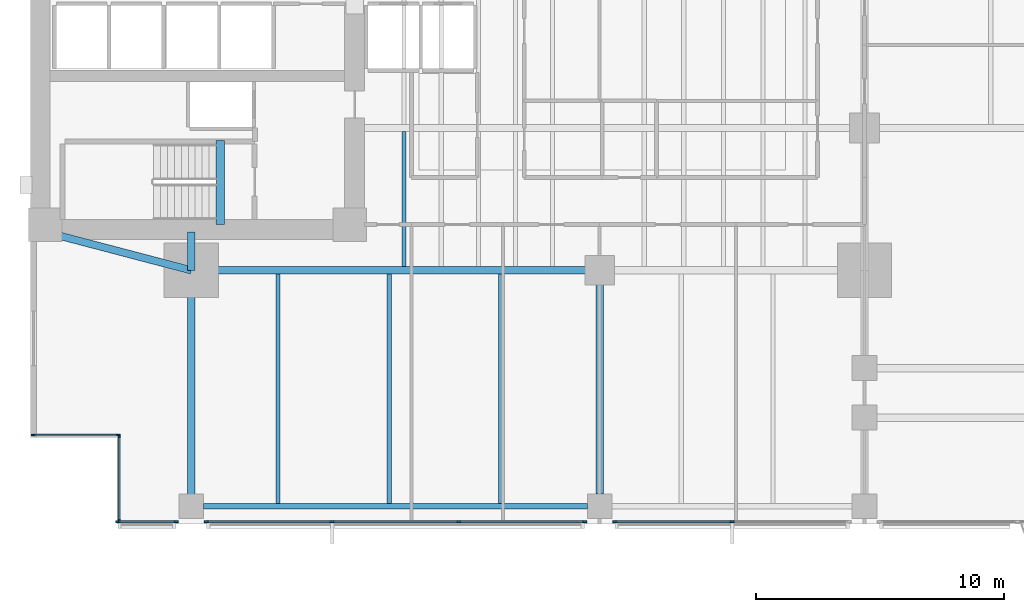
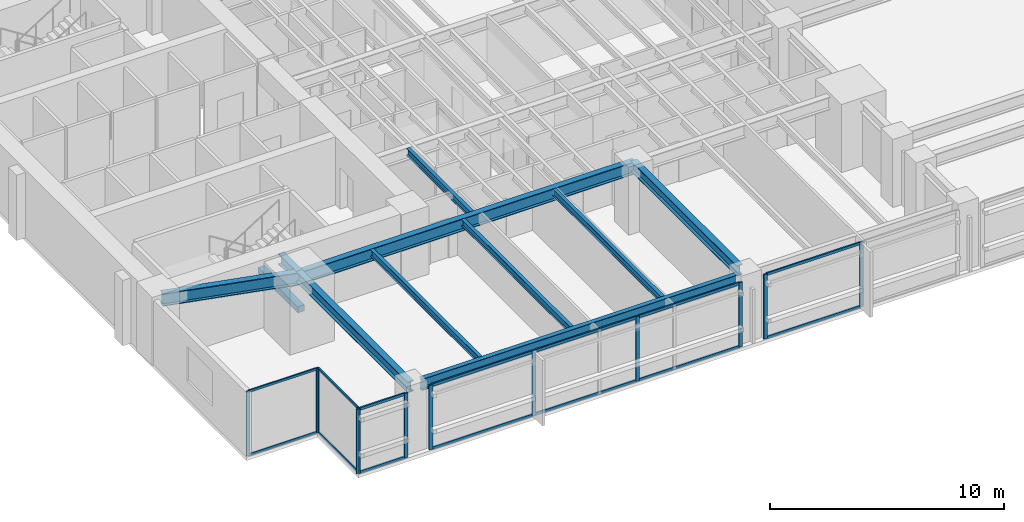
# One storey, part 2 of 15: 26 members, 11 beams, 5 elements without a shape of their own.
"""IFC4 building model written with IfcOpenShell, lengths in metres."""

from ifc_helpers import new_model, si_unit, direction, frame, origin, origin_2d, place, context, subcontext, project, spatial, rectangle, i_section, extrude, material, layer, layer_set, material_profile, profile_set, type_object, element, aggregate, save


model = new_model("IFC4")

# Units and contexts
model_context = context("Model", 3, precision=1e-05, world=origin(), true_north=direction((0.0, 1.0)))
body_context = subcontext(model_context, "Body", "Model", "MODEL_VIEW")
ifc_project = project(units=[si_unit("LENGTHUNIT", "METRE"), si_unit("AREAUNIT", "SQUARE_METRE"), si_unit("VOLUMEUNIT", "CUBIC_METRE"), si_unit("PLANEANGLEUNIT", "RADIAN"), si_unit("MASSUNIT", "GRAM", prefix="KILO")], contexts=[model_context])

# Site, building, storey
site_placement = place(None, origin())
site = spatial("IfcSite", under=ifc_project, at=site_placement, CompositionType="ELEMENT")
building_placement = place(site_placement, origin())
building = spatial("IfcBuilding", under=site, at=building_placement, Name="Kinhvarn Gate Tower", CompositionType="ELEMENT")
storey_placement = place(building_placement, frame((0.0, 0.0, 61.10009765625)))
storey = spatial("IfcBuildingStorey", under=building, at=storey_placement, Name="L15", CompositionType="ELEMENT", Elevation=61.10009765625)

# Beam
ifc_material_1 = material(Name="Concrete C50/60", Category="concrete")
ifc_material_profile_1 = material_profile(ifc_material_1, rectangle(XDim=0.340087890625, YDim=0.320068359375, at=origin_2d()), Name="RC 340x320")
ifc_profile_set_1 = profile_set([ifc_material_profile_1], Name="Concrete C50/60")
beam_type_1 = type_object("IfcBeamType", Name="BM-LND-500", PredefinedType="BEAM", material=ifc_profile_set_1)
beam_1_placement = place(storey_placement, frame((12.1650390625, 14.60009765625, -0.16015625), z_axis=(0.0, 1.0, 0.0), x_axis=(-1.0, 0.0, 0.0)))
element("IfcBeam", 1, at=beam_1_placement, inside=storey, type_object=beam_type_1, Name="Stair ST1 Landing Nosing Beam (L15)", PredefinedType="BEAM", context=body_context, shape_type="SweptSolid", body=[
    extrude(rectangle(XDim=0.340087890625, YDim=0.320068359375, at=origin_2d()), origin(), (0.0, 0.0, 1.0), 3.39990234375),
])

# Curtain wall, members
ifc_material_2 = material(Name="Anodised aluminium AW-6063", Category="aluminium")
ifc_layer_1 = layer(ifc_material_2, 0.179931640625)
ifc_layer_set_1 = layer_set([ifc_layer_1], Name="Anodised aluminium AW-6063")
curtain_wall_type_1 = type_object("IfcCurtainWallType", Name="CW-SYS-4", PredefinedType="NOTDEFINED", material=ifc_layer_set_1)
curtain_wall_1_placement = place(storey_placement, origin())
curtain_wall_1 = element("IfcCurtainWall", 2, at=curtain_wall_1_placement, inside=storey, type_object=curtain_wall_type_1, Name="Curtain Wall CW4 (L15)", PredefinedType="NOTDEFINED")
ifc_material_profile_2 = material_profile(ifc_material_2, rectangle(XDim=0.06494140625, YDim=0.159912109375, at=origin_2d()), Name="ALU 65x160")
ifc_profile_set_2 = profile_set([ifc_material_profile_2], Name="Anodised aluminium AW-6063")
member_type_1 = type_object("IfcMemberType", Name="CW-MUL-160", PredefinedType="MULLION", material=ifc_profile_set_2)
member_1_placement = place(storey_placement, frame((4.62255859375, 6.090087890625, 0.0), z_axis=(0.0, 0.0, 1.0), x_axis=(0.0, 1.0, 0.0)))
member_1 = element("IfcMember", 3, at=member_1_placement, type_object=member_type_1, Name="CW4 mullion 1", PredefinedType="MULLION", context=body_context, shape_type="SweptSolid", body=[
    extrude(rectangle(XDim=0.06494140625, YDim=0.159912109375, at=origin_2d()), origin(), (0.0, 0.0, 1.0), 3.369873046875),
])
member_2_placement = place(storey_placement, frame((8.0576171875, 6.090087890625, 0.0), z_axis=(0.0, 0.0, 1.0), x_axis=(0.0, 1.0, 0.0)))
member_2 = element("IfcMember", 4, at=member_2_placement, type_object=member_type_1, Name="CW4 mullion 2", PredefinedType="MULLION", context=body_context, shape_type="SweptSolid", body=[
    extrude(rectangle(XDim=0.06494140625, YDim=0.159912109375, at=origin_2d()), origin(), (0.0, 0.0, 1.0), 3.369873046875),
])

curtain_wall_2_placement = place(storey_placement, origin())
curtain_wall_2 = element("IfcCurtainWall", 5, at=curtain_wall_2_placement, inside=storey, type_object=curtain_wall_type_1, Name="Curtain Wall CW4 (L15)", PredefinedType="NOTDEFINED")
member_3_placement = place(storey_placement, frame((8.090087890625, 6.0576171875, 0.0), z_axis=(0.0, 0.0, 1.0), x_axis=(1.0, 0.0, 0.0)))
member_3 = element("IfcMember", 6, at=member_3_placement, type_object=member_type_1, Name="CW4 mullion 1", PredefinedType="MULLION", context=body_context, shape_type="SweptSolid", body=[
    extrude(rectangle(XDim=0.06494140625, YDim=0.159912109375, at=origin_2d()), origin(), (0.0, 0.0, 1.0), 3.369873046875),
])
member_4_placement = place(storey_placement, frame((8.090087890625, 2.62255859375, 0.0), z_axis=(0.0, 0.0, 1.0), x_axis=(1.0, 0.0, 0.0)))
member_4 = element("IfcMember", 7, at=member_4_placement, type_object=member_type_1, Name="CW4 mullion 2", PredefinedType="MULLION", context=body_context, shape_type="SweptSolid", body=[
    extrude(rectangle(XDim=0.06494140625, YDim=0.159912109375, at=origin_2d()), origin(), (0.0, 0.0, 1.0), 3.369873046875),
])

ifc_layer_2 = layer(ifc_material_2, 0.179931640625)
ifc_layer_set_2 = layer_set([ifc_layer_2], Name="Anodised aluminium AW-6063")
curtain_wall_type_2 = type_object("IfcCurtainWallType", Name="CW-SYS-2", PredefinedType="NOTDEFINED", material=ifc_layer_set_2)
curtain_wall_3_placement = place(storey_placement, origin())
curtain_wall_3 = element("IfcCurtainWall", 8, at=curtain_wall_3_placement, inside=storey, type_object=curtain_wall_type_2, Name="Curtain Wall CW2 (L15)", PredefinedType="NOTDEFINED")
ifc_material_profile_3 = material_profile(ifc_material_2, rectangle(XDim=0.070068359375, YDim=0.179931640625, at=origin_2d()), Name="ALU 70x180")
ifc_profile_set_3 = profile_set([ifc_material_profile_3], Name="Anodised aluminium AW-6063")
member_type_2 = type_object("IfcMemberType", Name="CW-MUL-180", PredefinedType="MULLION", material=ifc_profile_set_3)
member_5_placement = place(storey_placement, frame((8.034912109375, 2.590087890625, 0.0), z_axis=(0.0, 0.0, 1.0), x_axis=(0.0, 1.0, 0.0)))
member_5 = element("IfcMember", 9, at=member_5_placement, type_object=member_type_2, Name="CW2 mullion 1", PredefinedType="MULLION", context=body_context, shape_type="SweptSolid", body=[
    extrude(rectangle(XDim=0.070068359375, YDim=0.179931640625, at=origin_2d()), origin(), (0.0, 0.0, 1.0), 3.369873046875),
])
member_6_placement = place(storey_placement, frame((10.385009765625, 2.590087890625, 0.0), z_axis=(0.0, 0.0, 1.0), x_axis=(0.0, 1.0, 0.0)))
member_6 = element("IfcMember", 10, at=member_6_placement, type_object=member_type_2, Name="CW2 mullion 2", PredefinedType="MULLION", context=body_context, shape_type="SweptSolid", body=[
    extrude(rectangle(XDim=0.070068359375, YDim=0.179931640625, at=origin_2d()), origin(), (0.0, 0.0, 1.0), 3.369873046875),
])

curtain_wall_4_placement = place(storey_placement, origin())
curtain_wall_4 = element("IfcCurtainWall", 11, at=curtain_wall_4_placement, inside=storey, type_object=curtain_wall_type_2, Name="Curtain Wall CW2 (L15)", PredefinedType="NOTDEFINED")
member_7_placement = place(storey_placement, frame((11.614990234375, 2.590087890625, 0.0), z_axis=(0.0, 0.0, 1.0), x_axis=(0.0, 1.0, 0.0)))
member_7 = element("IfcMember", 12, at=member_7_placement, type_object=member_type_2, Name="CW2 mullion 1", PredefinedType="MULLION", context=body_context, shape_type="SweptSolid", body=[
    extrude(rectangle(XDim=0.070068359375, YDim=0.179931640625, at=origin_2d()), origin(), (0.0, 0.0, 1.0), 3.369873046875),
])
member_8_placement = place(storey_placement, frame((16.693359375, 2.590087890625, 0.0), z_axis=(0.0, 0.0, 1.0), x_axis=(0.0, 1.0, 0.0)))
member_8 = element("IfcMember", 13, at=member_8_placement, type_object=member_type_2, Name="CW2 mullion 2", PredefinedType="MULLION", context=body_context, shape_type="SweptSolid", body=[
    extrude(rectangle(XDim=0.070068359375, YDim=0.179931640625, at=origin_2d()), origin(), (0.0, 0.0, 1.0), 3.369873046875),
])
member_9_placement = place(storey_placement, frame((21.806640625, 2.590087890625, 0.0), z_axis=(0.0, 0.0, 1.0), x_axis=(0.0, 1.0, 0.0)))
member_9 = element("IfcMember", 14, at=member_9_placement, type_object=member_type_2, Name="CW2 mullion 3", PredefinedType="MULLION", context=body_context, shape_type="SweptSolid", body=[
    extrude(rectangle(XDim=0.070068359375, YDim=0.179931640625, at=origin_2d()), origin(), (0.0, 0.0, 1.0), 3.369873046875),
])
member_10_placement = place(storey_placement, frame((26.885009765625, 2.590087890625, 0.0), z_axis=(0.0, 0.0, 1.0), x_axis=(0.0, 1.0, 0.0)))
member_10 = element("IfcMember", 15, at=member_10_placement, type_object=member_type_2, Name="CW2 mullion 4", PredefinedType="MULLION", context=body_context, shape_type="SweptSolid", body=[
    extrude(rectangle(XDim=0.070068359375, YDim=0.179931640625, at=origin_2d()), origin(), (0.0, 0.0, 1.0), 3.369873046875),
])

curtain_wall_5_placement = place(storey_placement, origin())
curtain_wall_5 = element("IfcCurtainWall", 16, at=curtain_wall_5_placement, inside=storey, type_object=curtain_wall_type_2, Name="Curtain Wall CW2 (L15)", PredefinedType="NOTDEFINED")
member_11_placement = place(storey_placement, frame((28.114990234375, 2.590087890625, 0.0), z_axis=(0.0, 0.0, 1.0), x_axis=(0.0, 1.0, 0.0)))
member_11 = element("IfcMember", 17, at=member_11_placement, type_object=member_type_2, Name="CW2 mullion 1", PredefinedType="MULLION", context=body_context, shape_type="SweptSolid", body=[
    extrude(rectangle(XDim=0.070068359375, YDim=0.179931640625, at=origin_2d()), origin(), (0.0, 0.0, 1.0), 3.369873046875),
])
member_12_placement = place(storey_placement, frame((32.85009765625, 2.590087890625, 0.0), z_axis=(0.0, 0.0, 1.0), x_axis=(0.0, 1.0, 0.0)))
member_12 = element("IfcMember", 18, at=member_12_placement, type_object=member_type_2, Name="CW2 mullion 2", PredefinedType="MULLION", context=body_context, shape_type="SweptSolid", body=[
    extrude(rectangle(XDim=0.070068359375, YDim=0.179931640625, at=origin_2d()), origin(), (0.0, 0.0, 1.0), 3.369873046875),
])

# Member
ifc_material_profile_4 = material_profile(ifc_material_2, rectangle(XDim=0.06494140625, YDim=0.1201171875, at=origin_2d()), Name="ALU 65x120")
ifc_profile_set_4 = profile_set([ifc_material_profile_4], Name="Anodised aluminium AW-6063")
member_type_3 = type_object("IfcMemberType", Name="CW-TRN-120", PredefinedType="USERDEFINED", material=ifc_profile_set_4)
member_13_placement = place(storey_placement, frame((4.655029296875, 6.090087890625, 0.032470703125), z_axis=(1.0, 0.0, 0.0), x_axis=(0.0, 1.0, 0.0)))
member_13 = element("IfcMember", 19, at=member_13_placement, type_object=member_type_3, Name="CW4 transom 1.1", ObjectType="TRANSOM", PredefinedType="USERDEFINED", context=body_context, shape_type="SweptSolid", body=[
    extrude(rectangle(XDim=0.06494140625, YDim=0.1201171875, at=origin_2d()), origin(), (0.0, 0.0, 1.0), 3.369873046875),
])

member_14_placement = place(storey_placement, frame((4.655029296875, 6.090087890625, 3.33740234375), z_axis=(1.0, 0.0, 0.0), x_axis=(0.0, 1.0, 0.0)))
member_14 = element("IfcMember", 20, at=member_14_placement, type_object=member_type_3, Name="CW4 transom 1.2", ObjectType="TRANSOM", PredefinedType="USERDEFINED", context=body_context, shape_type="SweptSolid", body=[
    extrude(rectangle(XDim=0.06494140625, YDim=0.1201171875, at=origin_2d()), origin(), (0.0, 0.0, 1.0), 3.369873046875),
])

aggregate(curtain_wall_1, [member_1, member_2, member_13, member_14])

member_15_placement = place(storey_placement, frame((8.090087890625, 6.02490234375, 0.032470703125), z_axis=(0.0, -1.0, 0.0), x_axis=(1.0, 0.0, 0.0)))
member_15 = element("IfcMember", 21, at=member_15_placement, type_object=member_type_3, Name="CW4 transom 1.1", ObjectType="TRANSOM", PredefinedType="USERDEFINED", context=body_context, shape_type="SweptSolid", body=[
    extrude(rectangle(XDim=0.06494140625, YDim=0.1201171875, at=origin_2d()), origin(), (0.0, 0.0, 1.0), 3.369873046875),
])

member_16_placement = place(storey_placement, frame((8.090087890625, 6.02490234375, 3.33740234375), z_axis=(0.0, -1.0, 0.0), x_axis=(1.0, 0.0, 0.0)))
member_16 = element("IfcMember", 22, at=member_16_placement, type_object=member_type_3, Name="CW4 transom 1.2", ObjectType="TRANSOM", PredefinedType="USERDEFINED", context=body_context, shape_type="SweptSolid", body=[
    extrude(rectangle(XDim=0.06494140625, YDim=0.1201171875, at=origin_2d()), origin(), (0.0, 0.0, 1.0), 3.369873046875),
])

aggregate(curtain_wall_2, [member_3, member_4, member_15, member_16])

ifc_material_profile_5 = material_profile(ifc_material_2, rectangle(XDim=0.070068359375, YDim=0.139892578125, at=origin_2d()), Name="ALU 70x140")
ifc_profile_set_5 = profile_set([ifc_material_profile_5], Name="Anodised aluminium AW-6063")
member_type_4 = type_object("IfcMemberType", Name="CW-TRN-140", PredefinedType="USERDEFINED", material=ifc_profile_set_5)
member_17_placement = place(storey_placement, frame((8.070068359375, 2.590087890625, 0.034912109375), z_axis=(1.0, 0.0, 0.0), x_axis=(0.0, 1.0, 0.0)))
member_17 = element("IfcMember", 23, at=member_17_placement, type_object=member_type_4, Name="CW2 transom 1.1", ObjectType="TRANSOM", PredefinedType="USERDEFINED", context=body_context, shape_type="SweptSolid", body=[
    extrude(rectangle(XDim=0.070068359375, YDim=0.139892578125, at=origin_2d()), origin(), (0.0, 0.0, 1.0), 2.280029296875),
])

member_18_placement = place(storey_placement, frame((8.070068359375, 2.590087890625, 3.3349609375), z_axis=(1.0, 0.0, 0.0), x_axis=(0.0, 1.0, 0.0)))
member_18 = element("IfcMember", 24, at=member_18_placement, type_object=member_type_4, Name="CW2 transom 1.2", ObjectType="TRANSOM", PredefinedType="USERDEFINED", context=body_context, shape_type="SweptSolid", body=[
    extrude(rectangle(XDim=0.070068359375, YDim=0.139892578125, at=origin_2d()), origin(), (0.0, 0.0, 1.0), 2.280029296875),
])

aggregate(curtain_wall_3, [member_5, member_6, member_17, member_18])

member_19_placement = place(storey_placement, frame((11.64990234375, 2.590087890625, 0.034912109375), z_axis=(1.0, 0.0, 0.0), x_axis=(0.0, 1.0, 0.0)))
member_19 = element("IfcMember", 25, at=member_19_placement, type_object=member_type_4, Name="CW2 transom 1.1", ObjectType="TRANSOM", PredefinedType="USERDEFINED", context=body_context, shape_type="SweptSolid", body=[
    extrude(rectangle(XDim=0.070068359375, YDim=0.139892578125, at=origin_2d()), origin(), (0.0, 0.0, 1.0), 5.008544921875),
])

member_20_placement = place(storey_placement, frame((11.64990234375, 2.590087890625, 3.3349609375), z_axis=(1.0, 0.0, 0.0), x_axis=(0.0, 1.0, 0.0)))
member_20 = element("IfcMember", 26, at=member_20_placement, type_object=member_type_4, Name="CW2 transom 1.2", ObjectType="TRANSOM", PredefinedType="USERDEFINED", context=body_context, shape_type="SweptSolid", body=[
    extrude(rectangle(XDim=0.070068359375, YDim=0.139892578125, at=origin_2d()), origin(), (0.0, 0.0, 1.0), 5.008544921875),
])

member_21_placement = place(storey_placement, frame((16.728271484375, 2.590087890625, 0.034912109375), z_axis=(1.0, 0.0, 0.0), x_axis=(0.0, 1.0, 0.0)))
member_21 = element("IfcMember", 27, at=member_21_placement, type_object=member_type_4, Name="CW2 transom 2.1", ObjectType="TRANSOM", PredefinedType="USERDEFINED", context=body_context, shape_type="SweptSolid", body=[
    extrude(rectangle(XDim=0.070068359375, YDim=0.139892578125, at=origin_2d()), origin(), (0.0, 0.0, 1.0), 5.04345703125),
])

member_22_placement = place(storey_placement, frame((16.728271484375, 2.590087890625, 3.3349609375), z_axis=(1.0, 0.0, 0.0), x_axis=(0.0, 1.0, 0.0)))
member_22 = element("IfcMember", 28, at=member_22_placement, type_object=member_type_4, Name="CW2 transom 2.2", ObjectType="TRANSOM", PredefinedType="USERDEFINED", context=body_context, shape_type="SweptSolid", body=[
    extrude(rectangle(XDim=0.070068359375, YDim=0.139892578125, at=origin_2d()), origin(), (0.0, 0.0, 1.0), 5.04345703125),
])

member_23_placement = place(storey_placement, frame((21.841552734375, 2.590087890625, 0.034912109375), z_axis=(1.0, 0.0, 0.0), x_axis=(0.0, 1.0, 0.0)))
member_23 = element("IfcMember", 29, at=member_23_placement, type_object=member_type_4, Name="CW2 transom 3.1", ObjectType="TRANSOM", PredefinedType="USERDEFINED", context=body_context, shape_type="SweptSolid", body=[
    extrude(rectangle(XDim=0.070068359375, YDim=0.139892578125, at=origin_2d()), origin(), (0.0, 0.0, 1.0), 5.008544921875),
])

member_24_placement = place(storey_placement, frame((21.841552734375, 2.590087890625, 3.3349609375), z_axis=(1.0, 0.0, 0.0), x_axis=(0.0, 1.0, 0.0)))
member_24 = element("IfcMember", 30, at=member_24_placement, type_object=member_type_4, Name="CW2 transom 3.2", ObjectType="TRANSOM", PredefinedType="USERDEFINED", context=body_context, shape_type="SweptSolid", body=[
    extrude(rectangle(XDim=0.070068359375, YDim=0.139892578125, at=origin_2d()), origin(), (0.0, 0.0, 1.0), 5.008544921875),
])

aggregate(curtain_wall_4, [member_7, member_8, member_9, member_10, member_19, member_20, member_21, member_22, member_23, member_24])

member_25_placement = place(storey_placement, frame((28.14990234375, 2.590087890625, 0.034912109375), z_axis=(1.0, 0.0, 0.0), x_axis=(0.0, 1.0, 0.0)))
member_25 = element("IfcMember", 31, at=member_25_placement, type_object=member_type_4, Name="CW2 transom 1.1", ObjectType="TRANSOM", PredefinedType="USERDEFINED", context=body_context, shape_type="SweptSolid", body=[
    extrude(rectangle(XDim=0.070068359375, YDim=0.139892578125, at=origin_2d()), origin(), (0.0, 0.0, 1.0), 4.6650390625),
])

member_26_placement = place(storey_placement, frame((28.14990234375, 2.590087890625, 3.3349609375), z_axis=(1.0, 0.0, 0.0), x_axis=(0.0, 1.0, 0.0)))
member_26 = element("IfcMember", 32, at=member_26_placement, type_object=member_type_4, Name="CW2 transom 1.2", ObjectType="TRANSOM", PredefinedType="USERDEFINED", context=body_context, shape_type="SweptSolid", body=[
    extrude(rectangle(XDim=0.070068359375, YDim=0.139892578125, at=origin_2d()), origin(), (0.0, 0.0, 1.0), 4.6650390625),
])

aggregate(curtain_wall_5, [member_11, member_12, member_25, member_26])

# Beams
ifc_material_3 = material(Name="Steel S355", Category="steel")
ifc_material_profile_6 = material_profile(ifc_material_3, i_section(OverallWidth=0.300048828125, OverallDepth=0.550048828125, WebThickness=0.014892578125, FlangeThickness=0.029052734375, at=origin_2d()), Name="HEB 550")
ifc_profile_set_6 = profile_set([ifc_material_profile_6], Name="Steel S355")
beam_type_2 = type_object("IfcBeamType", Name="STL-HEB550", PredefinedType="BEAM", material=ifc_profile_set_6)
beam_2_placement = place(storey_placement, frame((11.0, 3.219970703125, 3.094970703125), z_axis=(0.0, 1.0, 0.0), x_axis=(-1.0, 0.0, 0.0)))
element("IfcBeam", 33, at=beam_2_placement, inside=storey, type_object=beam_type_2, Name="Floor Beam PG-15 (L15 MCW-S)", PredefinedType="BEAM", context=body_context, shape_type="SweptSolid", body=[
    extrude(i_section(OverallWidth=0.300048828125, OverallDepth=0.550048828125, WebThickness=0.014892578125, FlangeThickness=0.029052734375, at=origin_2d()), origin(), (0.0, 0.0, 1.0), 9.530029296875),
])
beam_3_placement = place(storey_placement, frame((11.0, 12.75, 3.094970703125), z_axis=(0.0, 1.0, 0.0), x_axis=(-1.0, 0.0, 0.0)))
element("IfcBeam", 34, at=beam_3_placement, inside=storey, type_object=beam_type_2, Name="Floor Beam PG-15 (L15 MCW-CS)", PredefinedType="BEAM", context=body_context, shape_type="SweptSolid", body=[
    extrude(i_section(OverallWidth=0.300048828125, OverallDepth=0.550048828125, WebThickness=0.014892578125, FlangeThickness=0.029052734375, at=origin_2d()), origin(), (0.0, 0.0, 1.0), 1.550048828125),
])
beam_4_placement = place(storey_placement, frame((27.5, 3.705078125, 3.094970703125), z_axis=(0.0, 1.0, 0.0), x_axis=(-1.0, 0.0, 0.0)))
element("IfcBeam", 35, at=beam_4_placement, inside=storey, type_object=beam_type_2, Name="Floor Beam PG-15 (L15 SP27-S-TIE)", PredefinedType="BEAM", context=body_context, shape_type="SweptSolid", body=[
    extrude(i_section(OverallWidth=0.300048828125, OverallDepth=0.550048828125, WebThickness=0.014892578125, FlangeThickness=0.029052734375, at=origin_2d()), origin(), (0.0, 0.0, 1.0), 9.044921875),
])
ifc_material_profile_7 = material_profile(ifc_material_3, i_section(OverallWidth=0.300048828125, OverallDepth=0.64990234375, WebThickness=0.01611328125, FlangeThickness=0.031005859375, at=origin_2d()), Name="HEB 650")
ifc_profile_set_7 = profile_set([ifc_material_profile_7], Name="Steel S355")
beam_type_3 = type_object("IfcBeamType", Name="STL-HEB650", PredefinedType="BEAM", material=ifc_profile_set_7)
beam_5_placement = place(storey_placement, frame((11.0, 12.75, 3.044921875), z_axis=(1.0, 0.0, 0.0), x_axis=(0.0, 1.0, 0.0)))
element("IfcBeam", 36, at=beam_5_placement, inside=storey, type_object=beam_type_3, Name="Floor Beam PG-17 (L15 MG-S1)", PredefinedType="BEAM", context=body_context, shape_type="SweptSolid", body=[
    extrude(i_section(OverallWidth=0.300048828125, OverallDepth=0.64990234375, WebThickness=0.01611328125, FlangeThickness=0.031005859375, at=origin_2d()), origin(), (0.0, 0.0, 1.0), 16.5),
])
beam_6_placement = place(storey_placement, frame((5.10009765625, 14.300048828125, 3.044921875), z_axis=(0.967177623957, -0.254101246979, 0.0), x_axis=(0.254101246979, 0.967177623957, 0.0)))
element("IfcBeam", 37, at=beam_6_placement, inside=storey, type_object=beam_type_3, Name="Floor Beam PG-17 (L15 MG-SW-DIAG)", PredefinedType="BEAM", context=body_context, shape_type="SweptSolid", body=[
    extrude(i_section(OverallWidth=0.300048828125, OverallDepth=0.64990234375, WebThickness=0.01611328125, FlangeThickness=0.031005859375, at=origin_2d()), origin(), (0.0, 0.0, 1.0), 6.10009765625),
])
ifc_material_profile_8 = material_profile(ifc_material_3, i_section(OverallWidth=0.169921875, OverallDepth=0.360107421875, WebThickness=0.008056640625, FlangeThickness=0.0126953125, at=origin_2d()), Name="IPE 360")
ifc_profile_set_8 = profile_set([ifc_material_profile_8], Name="Steel S355")
beam_type_4 = type_object("IfcBeamType", Name="STL-IPE360", PredefinedType="JOIST", material=ifc_profile_set_8)
beam_7_placement = place(storey_placement, frame((19.60009765625, 12.89990234375, 3.18994140625), z_axis=(0.0, 1.0, 0.0), x_axis=(-1.0, 0.0, 0.0)))
element("IfcBeam", 38, at=beam_7_placement, inside=storey, type_object=beam_type_4, Name="Floor Joist SB-04 (L15 JC-X196-0)", PredefinedType="JOIST", context=body_context, shape_type="SweptSolid", body=[
    extrude(i_section(OverallWidth=0.169921875, OverallDepth=0.360107421875, WebThickness=0.008056640625, FlangeThickness=0.0126953125, at=origin_2d()), origin(), (0.0, 0.0, 1.0), 5.4501953125),
])
for number, where, z_axis, x_axis, name in (
    (39, (14.5, 3.330078125, 3.18994140625), (0.0, 1.0, 0.0), (-1.0, 0.0, 0.0), "Floor Joist SB-04 (L15 JS-X145)"),
    (40, (19.0, 3.330078125, 3.18994140625), (0.0, 1.0, 0.0), (-1.0, 0.0, 0.0), "Floor Joist SB-04 (L15 JS-X190)"),
    (41, (23.5, 3.330078125, 3.18994140625), (0.0, 1.0, 0.0), (-1.0, 0.0, 0.0), "Floor Joist SB-04 (L15 JS-X235)"),
):
    element("IfcBeam", number, at=place(storey_placement, frame(where, z_axis=z_axis, x_axis=x_axis)), inside=storey, type_object=beam_type_4, Name=name, PredefinedType="JOIST", context=body_context, shape_type="SweptSolid", body=[
        extrude(i_section(OverallWidth=0.169921875, OverallDepth=0.360107421875, WebThickness=0.008056640625, FlangeThickness=0.0126953125, at=origin_2d()), origin(), (0.0, 0.0, 1.0), 9.27001953125),
    ])
ifc_material_profile_9 = material_profile(ifc_material_3, i_section(OverallWidth=0.219970703125, OverallDepth=0.60009765625, WebThickness=0.011962890625, FlangeThickness=0.01904296875, at=origin_2d()), Name="IPE 600")
ifc_profile_set_9 = profile_set([ifc_material_profile_9], Name="Steel S355")
beam_type_5 = type_object("IfcBeamType", Name="STL-IPE600", PredefinedType="SPANDREL", material=ifc_profile_set_9)
beam_8_placement = place(storey_placement, frame((11.485107421875, 3.219970703125, 3.06982421875), z_axis=(1.0, 0.0, 0.0), x_axis=(0.0, 1.0, 0.0)))
element("IfcBeam", 42, at=beam_8_placement, inside=storey, type_object=beam_type_5, Name="Floor Spandrel SB-09 (L15 SP-S1)", PredefinedType="SPANDREL", context=body_context, shape_type="SweptSolid", body=[
    extrude(i_section(OverallWidth=0.219970703125, OverallDepth=0.60009765625, WebThickness=0.011962890625, FlangeThickness=0.01904296875, at=origin_2d()), origin(), (0.0, 0.0, 1.0), 15.52978515625),
])

save(model, "model.ifc")
